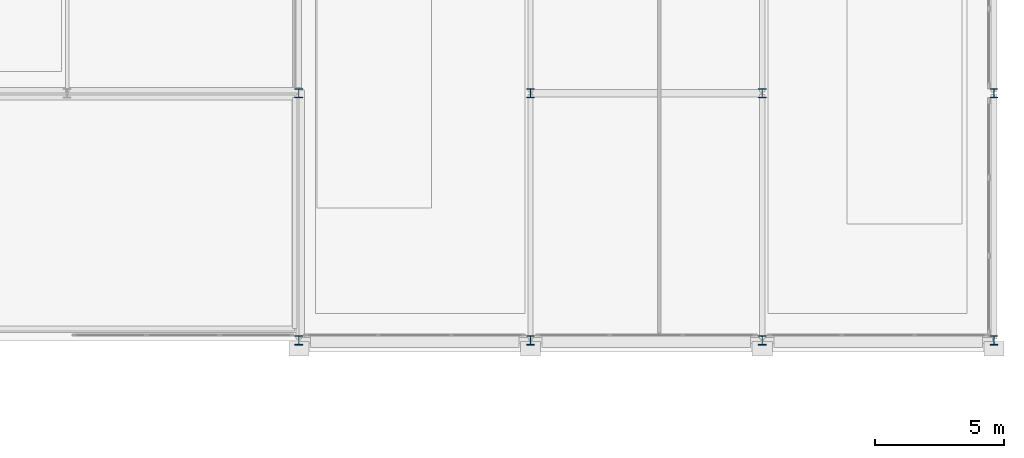
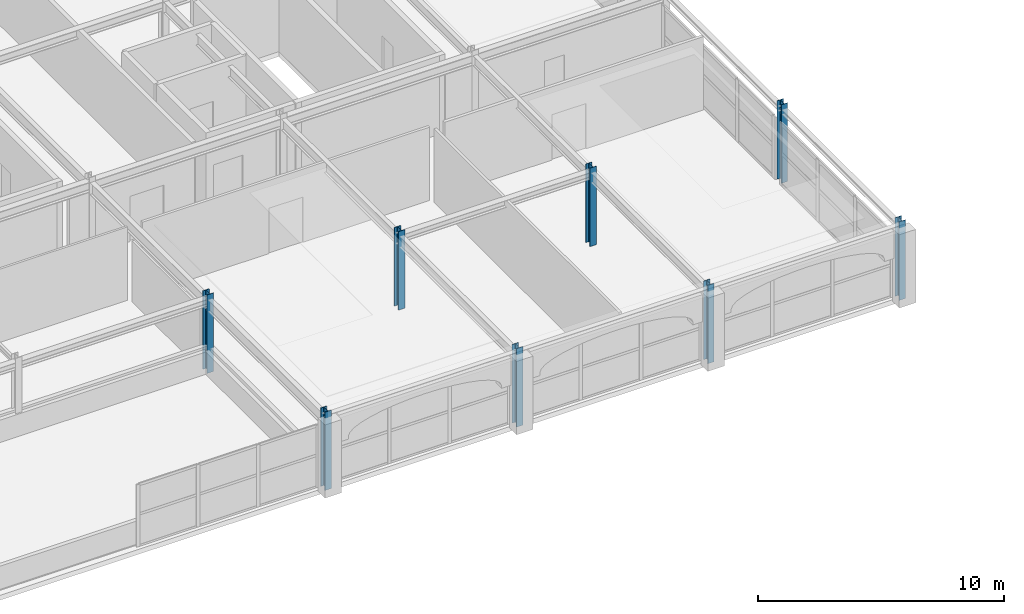
# One storey, part 6 of 25: 8 columns.
"""IFC4 building model written with IfcOpenShell, lengths in metres."""

import ifcopenshell
import ifcopenshell.guid

model = None  # the IFC model being written
_history = None  # IfcOwnerHistory: only IFC2X3 demands one
_inside = {}  # id of a spatial element -> (the spatial element, [elements in it])
_under = {}  # id of a project, library or spatial element -> (it, [spatial elements below it])
_declared = {}  # id of a project -> (the project, [libraries it declares])
_typed = {}  # id of a type object -> (the type object, [elements of that type])
_made_of = {}  # id of a material, layer set ... -> (it, [elements and type objects made of it])


def new_model(schema):
    """Start an empty IFC model of exactly this schema.

    Asked for "IFC4X3", IfcOpenShell would pick the latest addendum, in which some entities
    have other attributes; the version numbers below select the first issue.
    IFC2X3 requires an IfcOwnerHistory on every rooted entity: one is made here for all.
    """
    global model, _history
    if schema == "IFC4X3":
        model = ifcopenshell.file(schema_version=(4, 3, 0, 0))
    else:
        model = ifcopenshell.file(schema=schema)
    _inside.clear()
    _under.clear()
    _declared.clear()
    _typed.clear()
    _made_of.clear()
    _history = None
    if model.schema == "IFC2X3":
        org = make("IfcOrganization", Name="unknown")
        user = make(
            "IfcPersonAndOrganization",
            ThePerson=make("IfcPerson", FamilyName="unknown"),
            TheOrganization=org,
        )
        app = make(
            "IfcApplication",
            ApplicationDeveloper=org,
            Version="unknown",
            ApplicationFullName="unknown",
            ApplicationIdentifier="unknown",
        )
        _history = make(
            "IfcOwnerHistory",
            OwningUser=user,
            OwningApplication=app,
            ChangeAction="ADDED",
            CreationDate=0,
        )
    return model


def make(cls, **values):
    """One entity of the class cls with the attributes given. An attribute that is None is left unset."""
    return model.create_entity(
        cls, **{name: value for name, value in values.items() if value is not None}
    )


def rooted(cls, **values):
    """An entity with a GlobalId (a new one), such as an element, a storey or a relation."""
    return make(cls, GlobalId=ifcopenshell.guid.new(), OwnerHistory=_history, **values)


def si_unit(unit_type, name, prefix=None):
    """IfcSIUnit, for example si_unit("LENGTHUNIT", "METRE", prefix="MILLI")."""
    return make("IfcSIUnit", UnitType=unit_type, Prefix=prefix, Name=name)


def assignment(units):
    """IfcUnitAssignment: the units of a project."""
    return None if units is None else make("IfcUnitAssignment", Units=units)


def point(xyz):
    """IfcCartesianPoint."""
    return None if xyz is None else make("IfcCartesianPoint", Coordinates=xyz)


def direction(xyz):
    """IfcDirection."""
    return None if xyz is None else make("IfcDirection", DirectionRatios=xyz)


def frame(location, z_axis=None, x_axis=None):
    """IfcAxis2Placement3D, a coordinate frame: its origin and axes. An axis left out is left unset."""
    return make(
        "IfcAxis2Placement3D",
        Location=point(location),
        Axis=direction(z_axis),
        RefDirection=direction(x_axis),
    )


def frame_2d(location, x_axis=None):
    """IfcAxis2Placement2D, a coordinate frame in the plane: its origin and x axis."""
    return make(
        "IfcAxis2Placement2D", Location=point(location), RefDirection=direction(x_axis)
    )


def origin():
    """The frame at (0, 0, 0) with its axes left unset."""
    return frame((0.0, 0.0, 0.0))


def origin_2d():
    """The frame at (0, 0) in the plane with its x axis left unset."""
    return frame_2d((0.0, 0.0))


def place(relative_to, where):
    """IfcLocalPlacement: puts the frame where relative to a parent placement (None: the world)."""
    return make(
        "IfcLocalPlacement", PlacementRelTo=relative_to, RelativePlacement=where
    )


def context(
    kind, dimensions, precision=None, world=None, true_north=None, identifier=None
):
    """IfcGeometricRepresentationContext, for example the 3D "Model" context."""
    return make(
        "IfcGeometricRepresentationContext",
        ContextIdentifier=identifier,
        ContextType=kind,
        CoordinateSpaceDimension=dimensions,
        Precision=precision,
        WorldCoordinateSystem=world,
        TrueNorth=true_north,
    )


def subcontext(parent, identifier, kind, view, scale=None):
    """IfcGeometricRepresentationSubContext, for example "Body" below "Model"."""
    return make(
        "IfcGeometricRepresentationSubContext",
        ContextIdentifier=identifier,
        ContextType=kind,
        ParentContext=parent,
        TargetScale=scale,
        TargetView=view,
    )


def project(units=None, contexts=None):
    """IfcProject with its units and contexts."""
    return rooted(
        "IfcProject",
        Name="project",
        RepresentationContexts=contexts,
        UnitsInContext=assignment(units),
    )


def spatial(cls, under=None, at=None, **own):
    """A site, building, storey or space (cls), placed at a placement, below another one or the project."""
    s = rooted(cls, ObjectPlacement=at, **own)
    if under is not None:
        _under.setdefault(under.id(), (under, []))[1].append(s)
    return s


def profile(cls, at=None, kind="AREA", **sizes):
    """A parametric profile (cls). Its sizes go by their IFC names, for example OverallWidth=200.0."""
    return make(cls, ProfileType=kind, Position=at, **sizes)


def i_section(**sizes):
    """IfcIShapeProfileDef."""
    return profile("IfcIShapeProfileDef", **sizes)


def extrude(swept, where, along, depth):
    """IfcExtrudedAreaSolid: the profile swept, set in the frame where, extruded along a direction by depth."""
    return make(
        "IfcExtrudedAreaSolid",
        SweptArea=swept,
        Position=where,
        ExtrudedDirection=direction(along),
        Depth=depth,
    )


def shape(context_of_items, identifier, shape_type, items):
    """IfcShapeRepresentation: the items that make up one representation, for example the "Body"."""
    return make(
        "IfcShapeRepresentation",
        ContextOfItems=context_of_items,
        RepresentationIdentifier=identifier,
        RepresentationType=shape_type,
        Items=items,
    )


def material(Name=None, Category=None):
    """IfcMaterial."""
    return make("IfcMaterial", Name=Name, Category=Category)


def material_profile(
    of_material, cross_section, Name=None, Category=None, Priority=None
):
    """IfcMaterialProfile: a cross section and its material."""
    return make(
        "IfcMaterialProfile",
        Name=Name,
        Material=of_material,
        Profile=cross_section,
        Priority=Priority,
        Category=Category,
    )


def profile_set(profiles, Name=None, composite=None):
    """IfcMaterialProfileSet."""
    return make(
        "IfcMaterialProfileSet",
        Name=Name,
        MaterialProfiles=profiles,
        CompositeProfile=composite,
    )


def made_of(thing, what):
    """Note that an element or type object is made of a material, layer set ...; save() writes the relation."""
    if what is not None:
        _made_of.setdefault(what.id(), (what, []))[1].append(thing)
    return thing


def type_object(cls, material=None, **own):
    """A type object (cls), such as IfcWallType, which elements share."""
    return made_of(rooted(cls, **own), material)


def element(
    cls,
    number,
    at=None,
    inside=None,
    cuts=None,
    type_object=None,
    material=None,
    context=None,
    identifier="Body",
    shape_type=None,
    held_by="IfcProductDefinitionShape",
    body=None,
    shapes=None,
    **own,
):
    """One element of the class cls, such as IfcWall. Its Tag is "e" and its number.

    at: its placement. inside: the storey or other place that contains it. cuts: it is an
    opening in that element (IfcRelVoidsElement). A single representation is given by context,
    identifier, shape_type and body (its items); several are given by shapes. held_by: the class
    of the entity that holds the representations. save() writes the other relations.
    """
    e = rooted(cls, Tag="e%d" % number, ObjectPlacement=at, **own)
    if body is not None:
        shapes = [shape(context, identifier, shape_type, body)]
    if shapes is not None:
        e.Representation = make(held_by, Representations=shapes)
    if inside is not None:
        _inside.setdefault(inside.id(), (inside, []))[1].append(e)
    if cuts is not None:
        rooted(
            "IfcRelVoidsElement", RelatingBuildingElement=cuts, RelatedOpeningElement=e
        )
    if type_object is not None:
        _typed.setdefault(type_object.id(), (type_object, []))[1].append(e)
    return made_of(e, material)


def aggregate(whole, parts):
    """IfcRelAggregates: a whole, such as a stair, and the parts it consists of."""
    return rooted("IfcRelAggregates", RelatingObject=whole, RelatedObjects=parts)


def save(model, path):
    """Write the relations noted so far, then the file.

    IfcRelAggregates (storeys below a building ...), IfcRelContainedInSpatialStructure (elements
    in a storey), IfcRelDefinesByType, IfcRelAssociatesMaterial and IfcRelDeclares: one each for
    every whole, place, type object, material and project.
    """
    for whole, parts in _under.values():
        aggregate(whole, parts)
    for where, things in _inside.values():
        rooted(
            "IfcRelContainedInSpatialStructure",
            RelatedElements=things,
            RelatingStructure=where,
        )
    for kind, things in _typed.values():
        rooted("IfcRelDefinesByType", RelatedObjects=things, RelatingType=kind)
    for what, things in _made_of.values():
        rooted("IfcRelAssociatesMaterial", RelatedObjects=things, RelatingMaterial=what)
    for by, libraries in _declared.values():
        rooted("IfcRelDeclares", RelatingContext=by, RelatedDefinitions=libraries)
    model.write(path)


model = new_model("IFC4")

# Units and contexts
model_context = context("Model", 3, precision=1e-05, world=origin(), true_north=direction((0.0, 1.0)))
body_context = subcontext(model_context, "Body", "Model", "MODEL_VIEW")
ifc_project = project(units=[si_unit("LENGTHUNIT", "METRE"), si_unit("AREAUNIT", "SQUARE_METRE"), si_unit("VOLUMEUNIT", "CUBIC_METRE"), si_unit("PLANEANGLEUNIT", "RADIAN"), si_unit("MASSUNIT", "GRAM", prefix="KILO")], contexts=[model_context])

# Site, building, storey
site_placement = place(None, origin())
site = spatial("IfcSite", under=ifc_project, at=site_placement, CompositionType="ELEMENT")
building_placement = place(site_placement, origin())
building = spatial("IfcBuilding", under=site, at=building_placement, Name="Myrtia Square Station", CompositionType="ELEMENT")
storey_placement = place(building_placement, frame((0.0, 0.0, 18.89990234375)))
storey = spatial("IfcBuildingStorey", under=building, at=storey_placement, Name="L04", CompositionType="ELEMENT", Elevation=18.89990234375)

# Columns
ifc_material = material(Name="Steel S355", Category="steel")
ifc_material_profile = material_profile(ifc_material, i_section(OverallWidth=0.300048828125, OverallDepth=0.360107421875, WebThickness=0.012451171875, FlangeThickness=0.0224609375, FilletRadius=0.027099609375, at=origin_2d()), Name="HEB 360")
ifc_profile_set = profile_set([ifc_material_profile], Name="Steel S355")
column_type = type_object("IfcColumnType", Name="COL-HEB360", PredefinedType="COLUMN", material=ifc_profile_set)
for number, where, z_axis, x_axis, name in (
    (1, (162.0, 86.39990234375, 0.0), (0.0, 0.0, 1.0), (1.0, 0.0, 0.0), "Column L04-0903"),
    (2, (162.0, 96.0, 0.0), (0.0, 0.0, 1.0), (1.0, 0.0, 0.0), "Column L04-0909"),
    (3, (171.0, 86.39990234375, 0.0), (0.0, 0.0, 1.0), (1.0, 0.0, 0.0), "Column L04-0933"),
    (4, (171.0, 96.0, 0.0), (0.0, 0.0, 1.0), (1.0, 0.0, 0.0), "Column L04-0939"),
    (5, (180.0, 86.39990234375, 0.0), (0.0, 0.0, 1.0), (1.0, 0.0, 0.0), "Column L04-0963"),
    (6, (180.0, 96.0, 0.0), (0.0, 0.0, 1.0), (1.0, 0.0, 0.0), "Column L04-0969"),
    (7, (189.0, 86.39990234375, 0.0), (0.0, 0.0, 1.0), (1.0, 0.0, 0.0), "Column L04-0993"),
    (8, (189.0, 96.0, 0.0), (0.0, 0.0, 1.0), (1.0, 0.0, 0.0), "Column L04-0999"),
):
    element("IfcColumn", number, at=place(storey_placement, frame(where, z_axis=z_axis, x_axis=x_axis)), inside=storey, type_object=column_type, Name=name, PredefinedType="COLUMN", context=body_context, shape_type="SweptSolid", body=[
        extrude(i_section(OverallWidth=0.300048828125, OverallDepth=0.360107421875, WebThickness=0.012451171875, FlangeThickness=0.0224609375, FilletRadius=0.027099609375, at=origin_2d()), origin(), (0.0, 0.0, 1.0), 3.900146484375),
    ])

save(model, "model.ifc")
